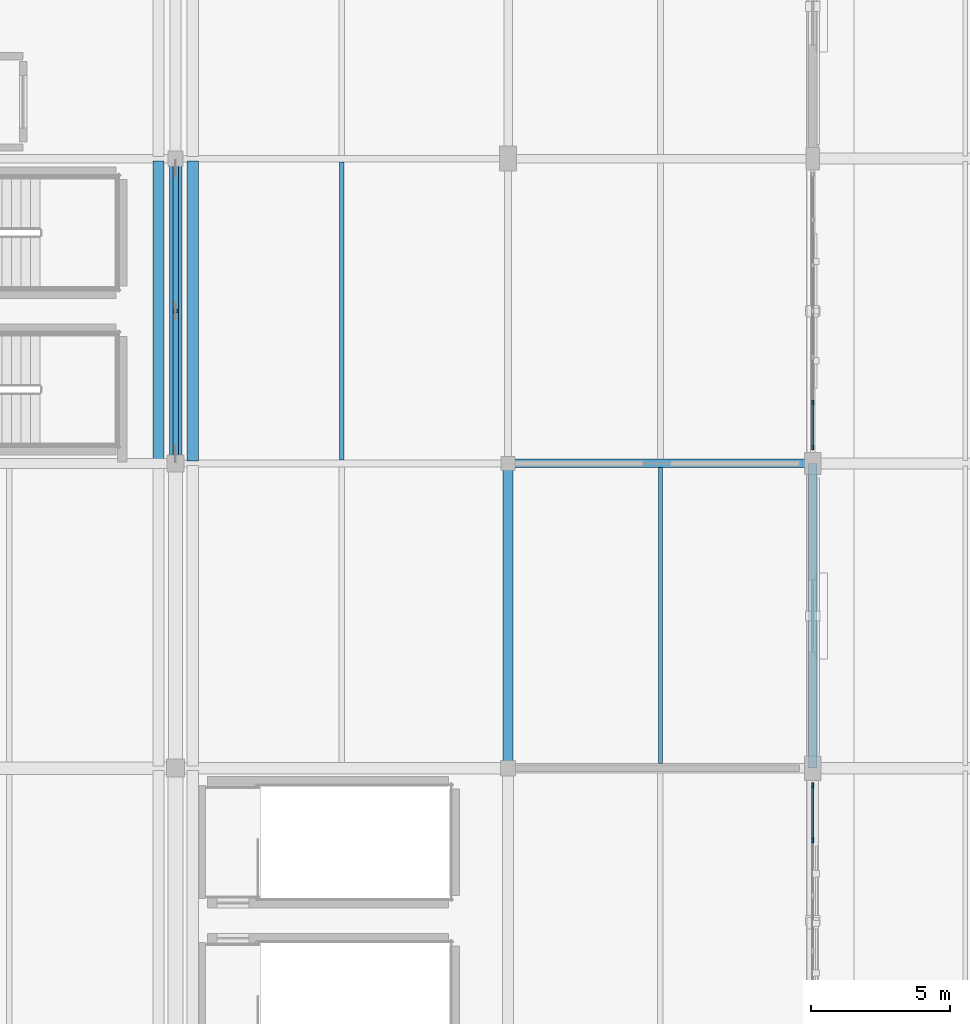
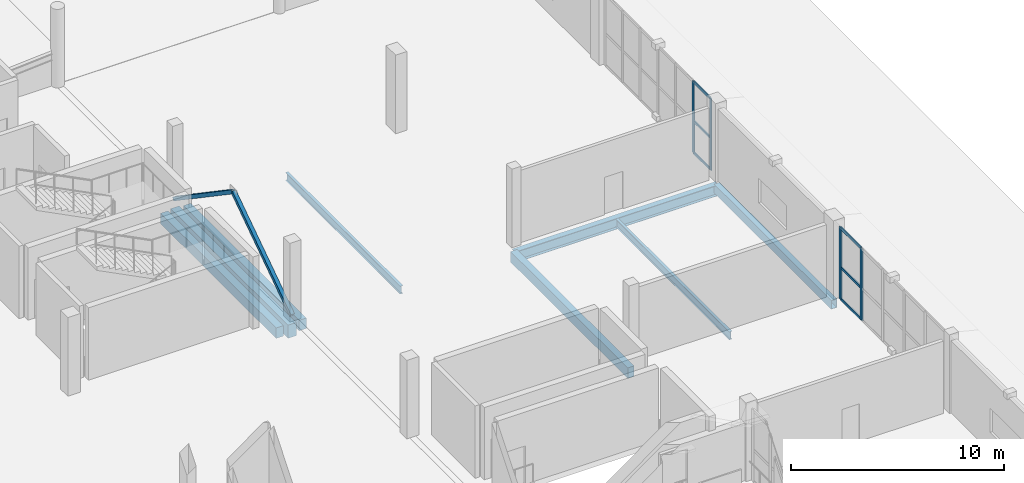
# One storey, part 61 of 118: 12 members, 8 beams, 2 elements without a shape of their own.
"""IFC4 building model written with IfcOpenShell, lengths in metres."""

from ifc_helpers import new_model, si_unit, direction, frame, origin, origin_2d, place, context, subcontext, project, spatial, rectangle, hollow_rectangle, i_section, extrude, material, material_profile, profile_set, type_object, element, aggregate, save


model = new_model("IFC4")

# Units and contexts
model_context = context("Model", 3, precision=1e-05, world=origin(), true_north=direction((0.0, 1.0)))
body_context = subcontext(model_context, "Body", "Model", "MODEL_VIEW")
ifc_project = project(units=[si_unit("LENGTHUNIT", "METRE"), si_unit("AREAUNIT", "SQUARE_METRE"), si_unit("VOLUMEUNIT", "CUBIC_METRE"), si_unit("PLANEANGLEUNIT", "RADIAN"), si_unit("MASSUNIT", "GRAM", prefix="KILO")], contexts=[model_context])

# Site, building, storey
site_placement = place(None, origin())
site = spatial("IfcSite", under=ifc_project, at=site_placement, CompositionType="ELEMENT")
building_placement = place(site_placement, origin())
building = spatial("IfcBuilding", under=site, at=building_placement, Name="Luwafu Chhajja Arena", CompositionType="ELEMENT")
storey_placement = place(building_placement, frame((0.0, 0.0, 10.199951171875)))
storey = spatial("IfcBuildingStorey", under=building, at=storey_placement, Name="L02", CompositionType="ELEMENT", Elevation=10.199951171875)

# Beam
ifc_material_1 = material(Name="Concrete C35/45", Category="concrete")
ifc_material_profile_1 = material_profile(ifc_material_1, rectangle(XDim=0.35009765625, YDim=0.60009765625, at=origin_2d()), Name="RC 350x600")
ifc_profile_set_1 = profile_set([ifc_material_profile_1], Name="Concrete C35/45")
beam_type_1 = type_object("IfcBeamType", Name="Arcade Tie Beam RC 350x600", PredefinedType="BEAM", material=ifc_profile_set_1)
beam_1_placement = place(storey_placement, frame((176.0, 66.0, -0.68994140625), z_axis=(0.0, 1.0, 0.0), x_axis=(-1.0, 0.0, 0.0)))
element("IfcBeam", 1, at=beam_1_placement, inside=storey, type_object=beam_type_1, Name="L02 Grid Beam 16/G-H", PredefinedType="BEAM", context=body_context, shape_type="SweptSolid", body=[
    extrude(rectangle(XDim=0.35009765625, YDim=0.60009765625, at=origin_2d()), origin(), (0.0, 0.0, 1.0), 11.0),
])

# Curtain wall, members
ifc_material_2 = material(Name="Anodised bronze aluminium", Category="aluminium")
curtain_wall_type_1 = type_object("IfcCurtainWallType", Name="Charbagh Cloister Curtain Wall", PredefinedType="USERDEFINED", material=ifc_material_2)
curtain_wall_1_placement = place(storey_placement, origin())
curtain_wall_1 = element("IfcCurtainWall", 2, at=curtain_wall_1_placement, inside=storey, type_object=curtain_wall_type_1, Name="L02 Curtain Wall CWG-L02-V16_07", ObjectType="CURTAIN WALL", PredefinedType="USERDEFINED")
ifc_material_profile_2 = material_profile(ifc_material_2, rectangle(XDim=0.06005859375, YDim=0.159912109375, at=origin_2d()), Name="CWM 60x160")
ifc_profile_set_2 = profile_set([ifc_material_profile_2], Name="Anodised bronze aluminium")
member_type_1 = type_object("IfcMemberType", Name="Bronze Curtain Wall Mullion 60x160", PredefinedType="MULLION", material=ifc_profile_set_2)
member_1_placement = place(storey_placement, frame((187.0, 77.570068359375, 0.030029296875), z_axis=(0.0, 0.0, 1.0), x_axis=(-1.0, 0.0, 0.0)))
member_1 = element("IfcMember", 3, at=member_1_placement, type_object=member_type_1, Name="CW-06 mullion 1", PredefinedType="MULLION", context=body_context, shape_type="SweptSolid", body=[
    extrude(rectangle(XDim=0.06005859375, YDim=0.159912109375, at=origin_2d()), origin(), (0.0, 0.0, 1.0), 4.114990234375),
])
member_2_placement = place(storey_placement, frame((187.0, 79.193359375, 0.030029296875), z_axis=(0.0, 0.0, 1.0), x_axis=(-1.0, 0.0, 0.0)))
member_2 = element("IfcMember", 4, at=member_2_placement, type_object=member_type_1, Name="CW-06 mullion 2", PredefinedType="MULLION", context=body_context, shape_type="SweptSolid", body=[
    extrude(rectangle(XDim=0.06005859375, YDim=0.159912109375, at=origin_2d()), origin(), (0.0, 0.0, 1.0), 4.114990234375),
])

curtain_wall_type_2 = type_object("IfcCurtainWallType", Name="Hospitality Ring Curtain Wall", PredefinedType="USERDEFINED", material=ifc_material_2)
curtain_wall_2_placement = place(storey_placement, origin())
curtain_wall_2 = element("IfcCurtainWall", 5, at=curtain_wall_2_placement, inside=storey, type_object=curtain_wall_type_2, Name="L02 Curtain Wall CWG-L02-V16_05", ObjectType="CURTAIN WALL", PredefinedType="USERDEFINED")
ifc_material_profile_3 = material_profile(ifc_material_2, rectangle(XDim=0.06494140625, YDim=0.199951171875, at=origin_2d()), Name="CWM 65x200")
ifc_profile_set_3 = profile_set([ifc_material_profile_3], Name="Anodised bronze aluminium")
member_type_2 = type_object("IfcMemberType", Name="Bronze Curtain Wall Mullion 65x200", PredefinedType="MULLION", material=ifc_profile_set_3)
member_3_placement = place(storey_placement, frame((187.0, 63.406005859375, 0.030029296875), z_axis=(0.0, 0.0, 1.0), x_axis=(-1.0, 0.0, 0.0)))
member_3 = element("IfcMember", 6, at=member_3_placement, type_object=member_type_2, Name="CW-02 mullion 5", PredefinedType="MULLION", context=body_context, shape_type="SweptSolid", body=[
    extrude(rectangle(XDim=0.06494140625, YDim=0.199951171875, at=origin_2d()), origin(), (0.0, 0.0, 1.0), 4.114990234375),
])
member_4_placement = place(storey_placement, frame((187.0, 65.37744140625, 0.030029296875), z_axis=(0.0, 0.0, 1.0), x_axis=(-1.0, 0.0, 0.0)))
member_4 = element("IfcMember", 7, at=member_4_placement, type_object=member_type_2, Name="CW-02 mullion 6", PredefinedType="MULLION", context=body_context, shape_type="SweptSolid", body=[
    extrude(rectangle(XDim=0.06494140625, YDim=0.199951171875, at=origin_2d()), origin(), (0.0, 0.0, 1.0), 4.114990234375),
])

# Member
ifc_material_profile_4 = material_profile(ifc_material_2, rectangle(XDim=0.06005859375, YDim=0.1298828125, at=origin_2d()), Name="CWT 60x130")
ifc_profile_set_4 = profile_set([ifc_material_profile_4], Name="Anodised bronze aluminium")
member_type_3 = type_object("IfcMemberType", Name="Bronze Curtain Wall Transom 60x130", PredefinedType="USERDEFINED", material=ifc_profile_set_4)
member_5_placement = place(storey_placement, frame((187.0, 77.60009765625, 0.06005859375), z_axis=(0.0, 1.0, 0.0), x_axis=(-1.0, 0.0, 0.0)))
member_5 = element("IfcMember", 8, at=member_5_placement, type_object=member_type_3, Name="CW-06 transom 1.1", ObjectType="TRANSOM", PredefinedType="USERDEFINED", context=body_context, shape_type="SweptSolid", body=[
    extrude(rectangle(XDim=0.06005859375, YDim=0.1298828125, at=origin_2d()), origin(), (0.0, 0.0, 1.0), 1.563232421875),
])

member_6_placement = place(storey_placement, frame((187.0, 77.60009765625, 1.865234375), z_axis=(0.0, 1.0, 0.0), x_axis=(-1.0, 0.0, 0.0)))
member_6 = element("IfcMember", 9, at=member_6_placement, type_object=member_type_3, Name="CW-06 transom 1.2", ObjectType="TRANSOM", PredefinedType="USERDEFINED", context=body_context, shape_type="SweptSolid", body=[
    extrude(rectangle(XDim=0.06005859375, YDim=0.1298828125, at=origin_2d()), origin(), (0.0, 0.0, 1.0), 1.563232421875),
])

member_7_placement = place(storey_placement, frame((187.0, 77.60009765625, 4.114990234375), z_axis=(0.0, 1.0, 0.0), x_axis=(-1.0, 0.0, 0.0)))
member_7 = element("IfcMember", 10, at=member_7_placement, type_object=member_type_3, Name="CW-06 transom 1.3", ObjectType="TRANSOM", PredefinedType="USERDEFINED", context=body_context, shape_type="SweptSolid", body=[
    extrude(rectangle(XDim=0.06005859375, YDim=0.1298828125, at=origin_2d()), origin(), (0.0, 0.0, 1.0), 1.563232421875),
])

aggregate(curtain_wall_1, [member_1, member_2, member_5, member_6, member_7])

ifc_material_profile_5 = material_profile(ifc_material_2, rectangle(XDim=0.06494140625, YDim=0.14990234375, at=origin_2d()), Name="CWT 65x150")
ifc_profile_set_5 = profile_set([ifc_material_profile_5], Name="Anodised bronze aluminium")
member_type_4 = type_object("IfcMemberType", Name="Bronze Curtain Wall Transom 65x150", PredefinedType="USERDEFINED", material=ifc_profile_set_5)
member_8_placement = place(storey_placement, frame((187.0, 63.4384765625, 0.0625), z_axis=(0.0, 1.0, 0.0), x_axis=(-1.0, 0.0, 0.0)))
member_8 = element("IfcMember", 11, at=member_8_placement, type_object=member_type_4, Name="CW-02 transom 5.1", ObjectType="TRANSOM", PredefinedType="USERDEFINED", context=body_context, shape_type="SweptSolid", body=[
    extrude(rectangle(XDim=0.06494140625, YDim=0.14990234375, at=origin_2d()), origin(), (0.0, 0.0, 1.0), 1.906494140625),
])

member_9_placement = place(storey_placement, frame((187.0, 63.4384765625, 1.865234375), z_axis=(0.0, 1.0, 0.0), x_axis=(-1.0, 0.0, 0.0)))
member_9 = element("IfcMember", 12, at=member_9_placement, type_object=member_type_4, Name="CW-02 transom 5.2", ObjectType="TRANSOM", PredefinedType="USERDEFINED", context=body_context, shape_type="SweptSolid", body=[
    extrude(rectangle(XDim=0.06494140625, YDim=0.14990234375, at=origin_2d()), origin(), (0.0, 0.0, 1.0), 1.906494140625),
])

member_10_placement = place(storey_placement, frame((187.0, 63.4384765625, 4.112548828125), z_axis=(0.0, 1.0, 0.0), x_axis=(-1.0, 0.0, 0.0)))
member_10 = element("IfcMember", 13, at=member_10_placement, type_object=member_type_4, Name="CW-02 transom 5.3", ObjectType="TRANSOM", PredefinedType="USERDEFINED", context=body_context, shape_type="SweptSolid", body=[
    extrude(rectangle(XDim=0.06494140625, YDim=0.14990234375, at=origin_2d()), origin(), (0.0, 0.0, 1.0), 1.906494140625),
])

aggregate(curtain_wall_2, [member_3, member_4, member_8, member_9, member_10])

# Beams
ifc_material_3 = material(Name="Steel S355", Category="steel")
ifc_material_profile_6 = material_profile(ifc_material_3, i_section(OverallWidth=0.15283203125, OverallDepth=0.45458984375, WebThickness=0.008056640625, FlangeThickness=0.01318359375, at=origin_2d()), Name="UB 457x152x60")
ifc_profile_set_6 = profile_set([ifc_material_profile_6], Name="Steel S355")
beam_type_2 = type_object("IfcBeamType", Name="Floor Joist UB 457x152x60", PredefinedType="JOIST", material=ifc_profile_set_6)
beam_2_placement = place(storey_placement, frame((170.0, 77.126953125, -0.6171875), z_axis=(0.0, 1.0, 0.0), x_axis=(-1.0, 0.0, 0.0)))
element("IfcBeam", 14, at=beam_2_placement, inside=storey, type_object=beam_type_2, Name="L02 Secondary Joist 15-16/H", PredefinedType="JOIST", context=body_context, shape_type="SweptSolid", body=[
    extrude(i_section(OverallWidth=0.15283203125, OverallDepth=0.45458984375, WebThickness=0.008056640625, FlangeThickness=0.01318359375, at=origin_2d()), origin(), (0.0, 0.0, 1.0), 10.758544921875),
])
beam_3_placement = place(storey_placement, frame((181.5, 66.175048828125, -0.6171875), z_axis=(0.0, 1.0, 0.0), x_axis=(-1.0, 0.0, 0.0)))
element("IfcBeam", 15, at=beam_3_placement, inside=storey, type_object=beam_type_2, Name="L02 Secondary Joist 16-17/G", PredefinedType="JOIST", context=body_context, shape_type="SweptSolid", body=[
    extrude(i_section(OverallWidth=0.15283203125, OverallDepth=0.45458984375, WebThickness=0.008056640625, FlangeThickness=0.01318359375, at=origin_2d()), origin(), (0.0, 0.0, 1.0), 10.67138671875),
])

# Members
ifc_material_profile_7 = material_profile(ifc_material_3, hollow_rectangle(XDim=0.199951171875, YDim=0.199951171875, WallThickness=0.010009765625, at=origin_2d()), Name="SHS 200x200x10")
ifc_profile_set_7 = profile_set([ifc_material_profile_7], Name="Steel S355")
member_type_5 = type_object("IfcMemberType", Name="Gallery Tie Brace SHS 200", PredefinedType="BRACE", material=ifc_profile_set_7)
for number, where, z_axis, x_axis, name in (
    (16, (164.0, 77.0, 0.1201171875), (0.0, 0.826927184796, 0.562309017396), (-1.0, 0.0, 0.0), "L02 Lateral Chevron Brace 18A"),
    (17, (164.0, 88.0, 0.1201171875), (0.0, -0.826927184796, 0.562309017396), (1.0, 0.0, 0.0), "L02 Lateral Chevron Brace 18B"),
):
    element("IfcMember", number, at=place(storey_placement, frame(where, z_axis=z_axis, x_axis=x_axis)), inside=storey, type_object=member_type_5, Name=name, PredefinedType="BRACE", context=body_context, shape_type="SweptSolid", body=[
        extrude(hollow_rectangle(XDim=0.199951171875, YDim=0.199951171875, WallThickness=0.010009765625, at=origin_2d()), origin(), (0.0, 0.0, 1.0), 6.651123046875),
    ])

# Beams
ifc_material_profile_8 = material_profile(ifc_material_3, hollow_rectangle(XDim=0.300048828125, YDim=0.5, WallThickness=0.02001953125, at=origin_2d()), Name="RHS 500x300x20")
ifc_profile_set_8 = profile_set([ifc_material_profile_8], Name="Steel S355")
beam_type_3 = type_object("IfcBeamType", Name="Pleated Drum Spandrel Beam RHS 500x300", PredefinedType="SPANDREL", material=ifc_profile_set_8)
beam_4_placement = place(storey_placement, frame((187.0, 66.0, -0.639892578125), z_axis=(0.0, 1.0, 0.0), x_axis=(-1.0, 0.0, 0.0)))
element("IfcBeam", 18, at=beam_4_placement, inside=storey, type_object=beam_type_3, Name="L02 Grid Beam 17/G-H", PredefinedType="SPANDREL", context=body_context, shape_type="SweptSolid", body=[
    extrude(hollow_rectangle(XDim=0.300048828125, YDim=0.5, WallThickness=0.02001953125, at=origin_2d()), origin(), (0.0, 0.0, 1.0), 11.0),
])
ifc_material_profile_9 = material_profile(ifc_material_1, rectangle(XDim=0.39990234375, YDim=0.60009765625, at=origin_2d()), Name="RC 400x600")
ifc_profile_set_9 = profile_set([ifc_material_profile_9], Name="Concrete C35/45")
beam_type_4 = type_object("IfcBeamType", Name="Podium Perimeter Spandrel RC 400x600", PredefinedType="SPANDREL", material=ifc_profile_set_9)
for number, where, z_axis, x_axis, name in (
    (19, (163.3798828125, 77.080078125, -0.68994140625), (0.0, 1.0, 0.0), (-1.0, 0.0, 0.0), "L02 Movement Joint MJ2W Seat Girder 07"),
    (20, (164.6201171875, 77.080078125, -0.68994140625), (0.0, 1.0, 0.0), (-1.0, 0.0, 0.0), "L02 Movement Joint MJ2E Seat Girder 07"),
):
    element("IfcBeam", number, at=place(storey_placement, frame(where, z_axis=z_axis, x_axis=x_axis)), inside=storey, type_object=beam_type_4, Name=name, PredefinedType="SPANDREL", context=body_context, shape_type="SweptSolid", body=[
        extrude(rectangle(XDim=0.39990234375, YDim=0.60009765625, at=origin_2d()), origin(), (0.0, 0.0, 1.0), 10.83984375),
    ])
ifc_material_profile_10 = material_profile(ifc_material_3, i_section(OverallWidth=0.30712890625, OverallDepth=0.6201171875, WebThickness=0.01416015625, FlangeThickness=0.023681640625, at=origin_2d()), Name="UB 610x305x179")
ifc_profile_set_10 = profile_set([ifc_material_profile_10], Name="Steel S355")
beam_type_5 = type_object("IfcBeamType", Name="Steel Hospitality Girder UB 610x305x179", PredefinedType="BEAM", material=ifc_profile_set_10)
beam_5_placement = place(storey_placement, frame((176.0, 77.0, -0.699951171875), z_axis=(1.0, 0.0, 0.0), x_axis=(0.0, 1.0, 0.0)))
element("IfcBeam", 21, at=beam_5_placement, inside=storey, type_object=beam_type_5, Name="L02 Grid Beam 16-17/H", PredefinedType="BEAM", context=body_context, shape_type="SweptSolid", body=[
    extrude(i_section(OverallWidth=0.30712890625, OverallDepth=0.6201171875, WebThickness=0.01416015625, FlangeThickness=0.023681640625, at=origin_2d()), origin(), (0.0, 0.0, 1.0), 11.0),
])
ifc_material_profile_11 = material_profile(ifc_material_1, rectangle(XDim=0.449951171875, YDim=0.75, at=origin_2d()), Name="RC 450x750")
ifc_profile_set_11 = profile_set([ifc_material_profile_11], Name="Concrete C35/45")
beam_type_6 = type_object("IfcBeamType", Name="Wing Primary Beam RC 450x750", PredefinedType="BEAM", material=ifc_profile_set_11)
beam_6_placement = place(storey_placement, frame((164.0, 77.0, -0.764892578125), z_axis=(0.0, 1.0, 0.0), x_axis=(-1.0, 0.0, 0.0)))
element("IfcBeam", 22, at=beam_6_placement, inside=storey, type_object=beam_type_6, Name="L02 Grid Beam 15/H-J", PredefinedType="BEAM", context=body_context, shape_type="SweptSolid", body=[
    extrude(rectangle(XDim=0.449951171875, YDim=0.75, at=origin_2d()), origin(), (0.0, 0.0, 1.0), 11.0),
])

save(model, "model.ifc")
